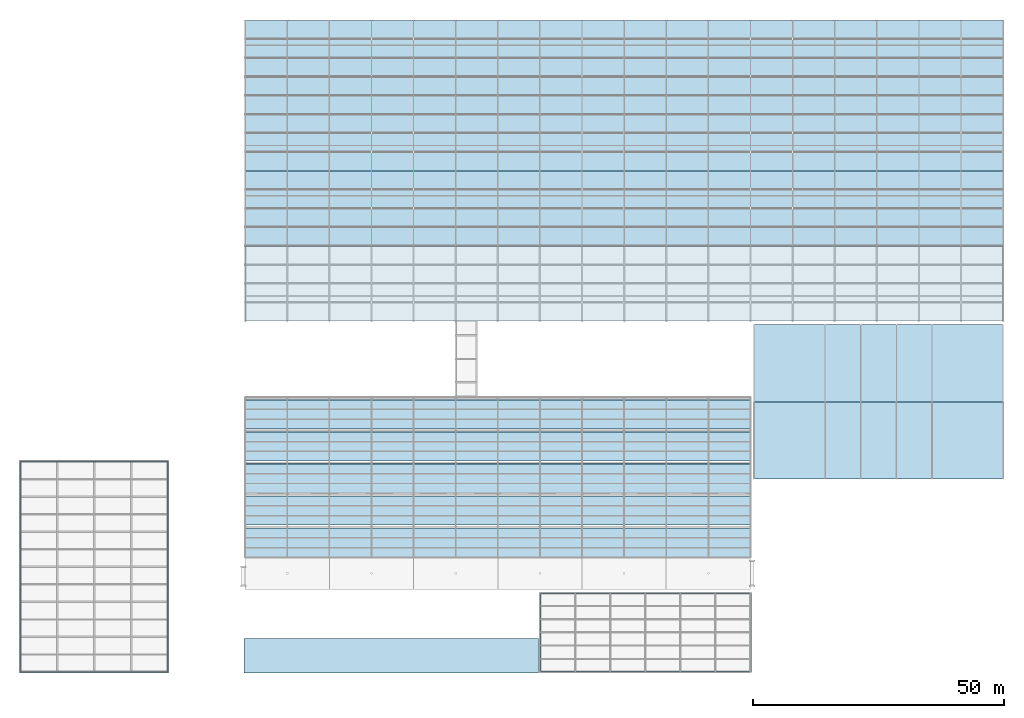
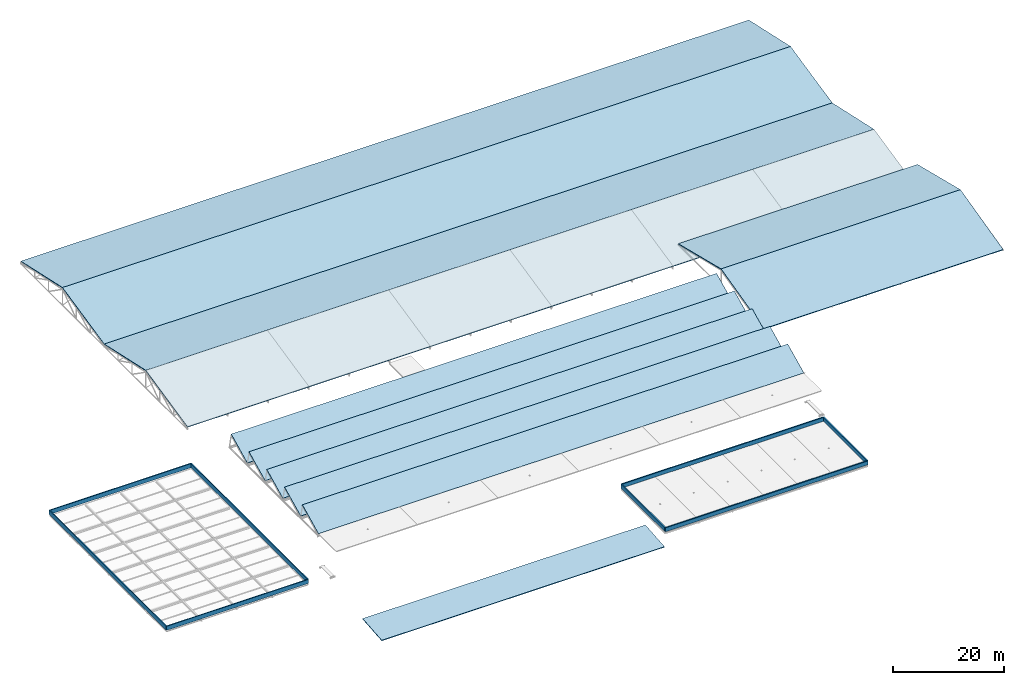
# One storey, part 193 of 194: 12 roofs, 8 walls.
"""IFC4 building model written with IfcOpenShell, lengths in metres."""

from ifc_helpers import new_model, si_unit, direction, frame, frame_2d, origin, origin_with_axes, place, context, subcontext, project, spatial, polyline, rectangle, outline, extrude, material, layer, layer_set, type_object, element, save


model = new_model("IFC4")

# Units and contexts
model_context = context("Model", 3, precision=1e-05, world=origin(), true_north=direction((0.0, 1.0)))
body_context = subcontext(model_context, "Body", "Model", "MODEL_VIEW")
ifc_project = project(units=[si_unit("LENGTHUNIT", "METRE"), si_unit("AREAUNIT", "SQUARE_METRE"), si_unit("VOLUMEUNIT", "CUBIC_METRE"), si_unit("PLANEANGLEUNIT", "RADIAN"), si_unit("MASSUNIT", "GRAM", prefix="KILO")], contexts=[model_context])

# Site, building, storey
site_placement = place(None, origin())
site = spatial("IfcSite", under=ifc_project, at=site_placement, CompositionType="ELEMENT")
building_placement = place(site_placement, origin())
building = spatial("IfcBuilding", under=site, at=building_placement, Name="Kazenagashi Tramway Depot", CompositionType="ELEMENT")
storey_placement = place(building_placement, frame((0.0, 0.0, 23.7)))
storey = spatial("IfcBuildingStorey", under=building, at=storey_placement, Name="ROOF", CompositionType="ELEMENT", Elevation=23.7)

# Walls
ifc_material_1 = material(Name="Clay Brick Masonry JIS R 1250 Class 1 (20 MPa)", Category="masonry")
ifc_layer_1 = layer(ifc_material_1, 0.21)
ifc_layer_set_1 = layer_set([ifc_layer_1], Name="Clay Brick Masonry JIS R 1250 Class 1 (20 MPa)")
wall_type_1 = type_object("IfcWallType", Name="W-PP1", PredefinedType="PARAPET", material=ifc_layer_set_1)
wall_1_placement = place(storey_placement, origin_with_axes())
element("IfcWall", 1, at=wall_1_placement, inside=storey, type_object=wall_type_1, Name="Brick Roof Parapet PARA-001", PredefinedType="PARAPET", context=body_context, shape_type="SweptSolid", body=[
    extrude(rectangle(XDim=29.4, YDim=0.21, at=frame_2d((14.7, 0.0))), origin(), (0.0, 0.0, 1.0), 0.9),
])
wall_2_placement = place(storey_placement, frame((29.4, 0.0, 0.0), z_axis=(0.0, 0.0, 1.0), x_axis=(0.0, 1.0, 0.0)))
element("IfcWall", 2, at=wall_2_placement, inside=storey, type_object=wall_type_1, Name="Brick Roof Parapet PARA-002", PredefinedType="PARAPET", context=body_context, shape_type="SweptSolid", body=[
    extrude(rectangle(XDim=42.0, YDim=0.21, at=frame_2d((21.0, 0.0))), origin(), (0.0, 0.0, 1.0), 0.9),
])
wall_3_placement = place(storey_placement, frame((29.4, 42.0, 0.0), z_axis=(0.0, 0.0, 1.0), x_axis=(-1.0, 0.0, 0.0)))
element("IfcWall", 3, at=wall_3_placement, inside=storey, type_object=wall_type_1, Name="Brick Roof Parapet PARA-003", PredefinedType="PARAPET", context=body_context, shape_type="SweptSolid", body=[
    extrude(rectangle(XDim=29.4, YDim=0.21, at=frame_2d((14.7, 0.0))), origin(), (0.0, 0.0, 1.0), 0.9),
])
wall_4_placement = place(storey_placement, frame((0.0, 42.0, 0.0), z_axis=(0.0, 0.0, 1.0), x_axis=(0.0, -1.0, 0.0)))
element("IfcWall", 4, at=wall_4_placement, inside=storey, type_object=wall_type_1, Name="Brick Roof Parapet PARA-004", PredefinedType="PARAPET", context=body_context, shape_type="SweptSolid", body=[
    extrude(rectangle(XDim=42.0, YDim=0.21, at=frame_2d((21.0, 0.0))), origin(), (0.0, 0.0, 1.0), 0.9),
])
ifc_material_2 = material(Name="Clinker Brick Masonry JIS R 1250 Class 1 (24 MPa)", Category="masonry")
ifc_layer_2 = layer(ifc_material_2, 0.26)
ifc_layer_set_2 = layer_set([ifc_layer_2], Name="Clinker Brick Masonry JIS R 1250 Class 1 (24 MPa)")
wall_type_2 = type_object("IfcWallType", Name="W-PP2", PredefinedType="PARAPET", material=ifc_layer_set_2)
wall_5_placement = place(storey_placement, frame((103.6, 0.0, -14.6), z_axis=(0.0, 0.0, 1.0), x_axis=(1.0, 0.0, 0.0)))
element("IfcWall", 5, at=wall_5_placement, inside=storey, type_object=wall_type_2, Name="Brick Roof Parapet PARA-005", PredefinedType="PARAPET", context=body_context, shape_type="SweptSolid", body=[
    extrude(rectangle(XDim=42.0, YDim=0.26, at=frame_2d((21.0, 0.0))), origin(), (0.0, 0.0, 1.0), 0.85),
])
wall_6_placement = place(storey_placement, frame((145.6, 0.0, -14.6), z_axis=(0.0, 0.0, 1.0), x_axis=(0.0, 1.0, 0.0)))
element("IfcWall", 6, at=wall_6_placement, inside=storey, type_object=wall_type_2, Name="Brick Roof Parapet PARA-006", PredefinedType="PARAPET", context=body_context, shape_type="SweptSolid", body=[
    extrude(rectangle(XDim=15.8, YDim=0.26, at=frame_2d((7.9, 0.0))), origin(), (0.0, 0.0, 1.0), 0.85),
])
wall_7_placement = place(storey_placement, frame((145.6, 15.8, -14.6), z_axis=(0.0, 0.0, 1.0), x_axis=(-1.0, 0.0, 0.0)))
element("IfcWall", 7, at=wall_7_placement, inside=storey, type_object=wall_type_2, Name="Brick Roof Parapet PARA-007", PredefinedType="PARAPET", context=body_context, shape_type="SweptSolid", body=[
    extrude(rectangle(XDim=42.0, YDim=0.26, at=frame_2d((21.0, 0.0))), origin(), (0.0, 0.0, 1.0), 0.85),
])
wall_8_placement = place(storey_placement, frame((103.6, 15.8, -14.6), z_axis=(0.0, 0.0, 1.0), x_axis=(0.0, -1.0, 0.0)))
element("IfcWall", 8, at=wall_8_placement, inside=storey, type_object=wall_type_2, Name="Brick Roof Parapet PARA-008", PredefinedType="PARAPET", context=body_context, shape_type="SweptSolid", body=[
    extrude(rectangle(XDim=15.8, YDim=0.26, at=frame_2d((7.9, 0.0))), origin(), (0.0, 0.0, 1.0), 0.85),
])

# Roofs
ifc_material_3 = material(Name="Galvanised Standing Seam Steel Sheet", Category="steel")
ifc_layer_3 = layer(ifc_material_3, 0.16)
ifc_layer_set_3 = layer_set([ifc_layer_3], Name="Galvanised Standing Seam Steel Sheet")
roof_type_1 = type_object("IfcRoofType", Name="RF-GB1", PredefinedType="GABLE_ROOF", material=ifc_layer_set_3)
for number, where, z_axis, x_axis, name in (
    (9, (44.8, 70.0, -13.5), (0.0, -0.214861782675, 0.976644466705), (1.0, 0.0, 0.0), "Stabling Space-Frame Gable Roof ROOF-001"),
    (10, (44.8, 85.0, -10.2), (0.0, 0.214861782675, 0.976644466705), (1.0, 0.0, 0.0), "Stabling Space-Frame Gable Roof ROOF-002"),
    (11, (44.8, 100.0, -13.5), (0.0, -0.214861782675, 0.976644466705), (1.0, 0.0, 0.0), "Stabling Space-Frame Gable Roof ROOF-003"),
    (12, (44.8, 115.0, -10.2), (0.0, 0.214861782675, 0.976644466705), (1.0, 0.0, 0.0), "Stabling Space-Frame Gable Roof ROOF-004"),
):
    element("IfcRoof", number, at=place(storey_placement, frame(where, z_axis=z_axis, x_axis=x_axis)), inside=storey, type_object=roof_type_1, Name=name, PredefinedType="GABLE_ROOF", context=body_context, shape_type="SweptSolid", body=[
        extrude(outline(polyline([(0.0, 0.0), (151.2, 0.0), (151.2, 15.358710883404246), (0.0, 15.358710883404246), (0.0, 0.0)])), origin(), (0.0, 0.0, -1.0), 0.16),
    ])
ifc_layer_4 = layer(ifc_material_3, 0.175)
ifc_layer_set_4 = layer_set([ifc_layer_4], Name="Galvanised Standing Seam Steel Sheet")
roof_type_2 = type_object("IfcRoofType", Name="RF-GB2", PredefinedType="GABLE_ROOF", material=ifc_layer_set_4)
for number, where, z_axis, x_axis, name in (
    (13, (146.3, 38.5, -8.4), (0.0, -0.239567708184, 0.970879659482), (1.0, 0.0, 0.0), "BESS Plant Gable Roof ROOF-010"),
    (14, (146.3, 53.9, -4.6), (0.0, 0.239567708184, 0.970879659482), (1.0, 0.0, 0.0), "BESS Plant Gable Roof ROOF-011"),
):
    element("IfcRoof", number, at=place(storey_placement, frame(where, z_axis=z_axis, x_axis=x_axis)), inside=storey, type_object=roof_type_2, Name=name, PredefinedType="GABLE_ROOF", context=body_context, shape_type="SweptSolid", body=[
        extrude(outline(polyline([(0.0, 0.0), (49.69999999999999, 0.0), (49.69999999999999, 15.861904047118681), (0.0, 15.861904047118681), (0.0, 0.0)])), origin(), (0.0, 0.0, -1.0), 0.175),
    ])
ifc_material_4 = material(Name="Weathering Steel SMA490W", Category="steel")
ifc_layer_5 = layer(ifc_material_4, 0.145)
ifc_layer_set_5 = layer_set([ifc_layer_5], Name="Weathering Steel SMA490W")
roof_type_3 = type_object("IfcRoofType", Name="RF-GB3", PredefinedType="GABLE_ROOF", material=ifc_layer_set_5)
roof_placement = place(storey_placement, frame((44.6, -0.2, -17.74), z_axis=(0.0, -0.086629616365, 0.996240588196), x_axis=(1.0, 0.0, 0.0)))
element("IfcRoof", 15, at=roof_placement, inside=storey, type_object=roof_type_3, Name="Boulevard Heritage Canopy Roof ROOF-012", PredefinedType="GABLE_ROOF", context=body_context, shape_type="SweptSolid", body=[
    extrude(outline(polyline([(0.0, 0.0), (58.73, 0.0), (58.73, 6.926037828369118), (0.0, 6.926037828369118), (0.0, 0.0)])), origin(), (0.0, 0.0, -1.0), 0.145),
])
ifc_layer_6 = layer(ifc_material_3, 0.165)
ifc_layer_set_6 = layer_set([ifc_layer_6], Name="Galvanised Standing Seam Steel Sheet")
roof_type_4 = type_object("IfcRoofType", Name="RF-SH1", PredefinedType="SHED_ROOF", material=ifc_layer_set_6)
for number, where, z_axis, x_axis, name in (
    (16, (44.8, 22.9, -8.4), (0.0, -0.438515216203, 0.898723764657), (1.0, 0.0, 0.0), "Sawtooth Shed Roof Bay 1 ROOF-005"),
    (17, (44.8, 29.3, -8.4), (0.0, -0.438515216203, 0.898723764657), (1.0, 0.0, 0.0), "Sawtooth Shed Roof Bay 2 ROOF-006"),
):
    element("IfcRoof", number, at=place(storey_placement, frame(where, z_axis=z_axis, x_axis=x_axis)), inside=storey, type_object=roof_type_4, Name=name, PredefinedType="SHED_ROOF", context=body_context, shape_type="SweptSolid", body=[
        extrude(outline(polyline([(0.0, 0.0), (100.8, 0.0), (100.8, 6.453595896862462), (0.0, 6.453595896862462), (0.0, 0.0)])), origin(), (0.0, 0.0, -1.0), 0.165),
    ])
for number, where, z_axis, x_axis, name in (
    (18, (44.8, 35.7, -8.4), (0.0, -0.438515216203, 0.898723764657), (1.0, 0.0, 0.0), "Sawtooth Shed Roof Bay 3 ROOF-007"),
    (19, (44.8, 42.1, -8.4), (0.0, -0.438515216203, 0.898723764657), (1.0, 0.0, 0.0), "Sawtooth Shed Roof Bay 4 ROOF-008"),
    (20, (44.8, 48.5, -8.4), (0.0, -0.438515216203, 0.898723764657), (1.0, 0.0, 0.0), "Sawtooth Shed Roof Bay 5 ROOF-009"),
):
    element("IfcRoof", number, at=place(storey_placement, frame(where, z_axis=z_axis, x_axis=x_axis)), inside=storey, type_object=roof_type_4, Name=name, PredefinedType="SHED_ROOF", context=body_context, shape_type="SweptSolid", body=[
        extrude(outline(polyline([(0.0, 0.0), (100.8, 0.0), (100.8, 6.453595896862458), (0.0, 6.453595896862458), (0.0, 0.0)])), origin(), (0.0, 0.0, -1.0), 0.165),
    ])

save(model, "model.ifc")
